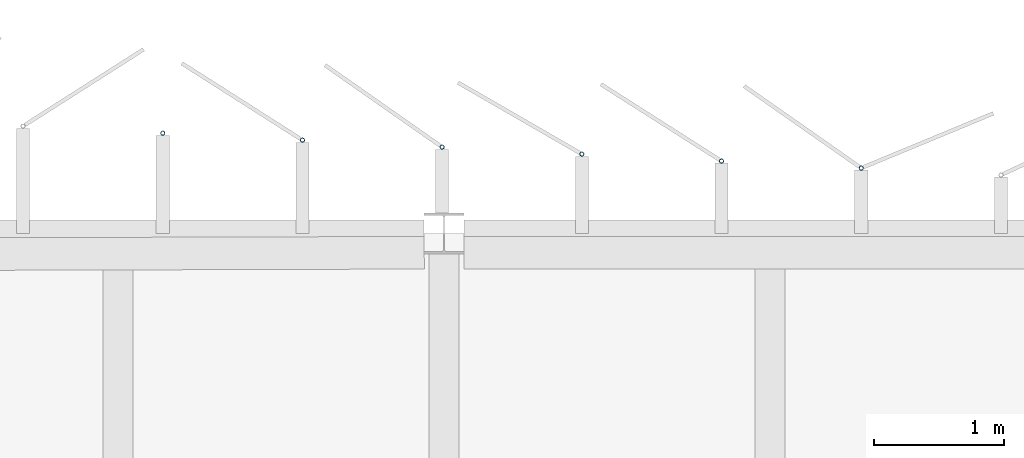
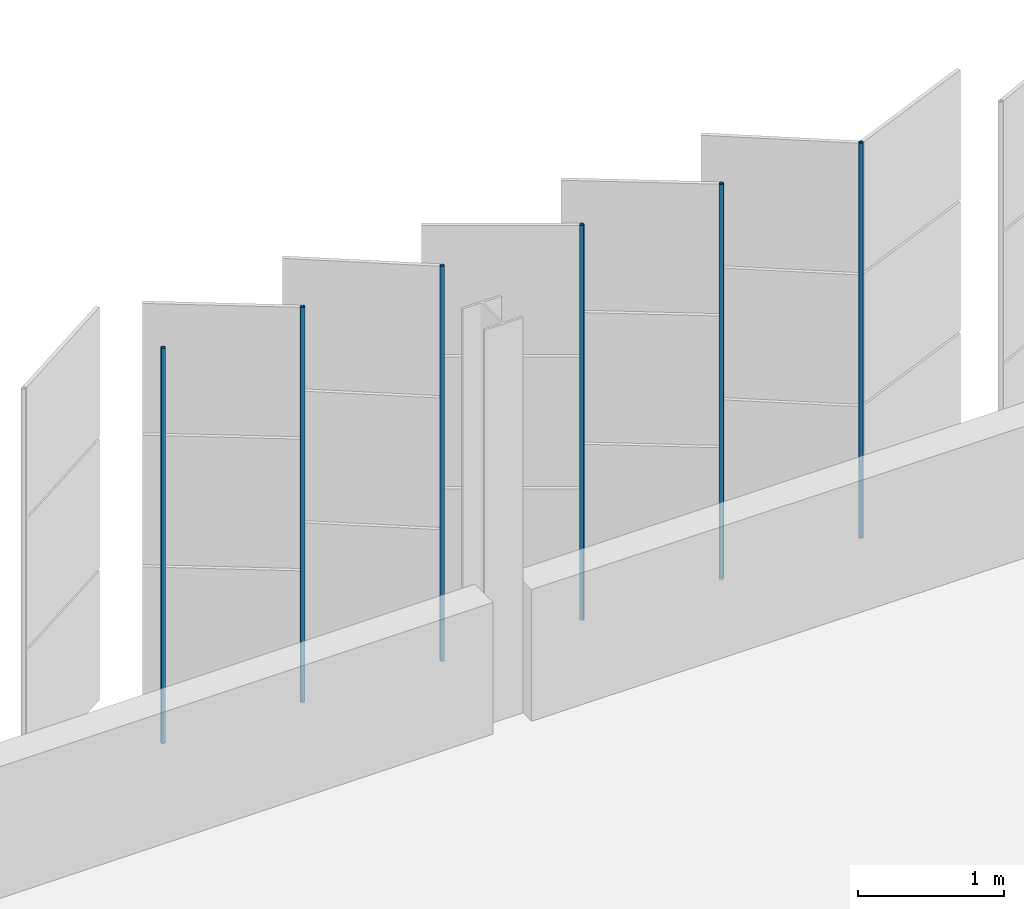
# One storey, part 148 of 214: 6 discrete accessories.
"""IFC4 building model written with IfcOpenShell, lengths in metres."""

from ifc_helpers import new_model, si_unit, direction, frame, origin, origin_2d, place, context, subcontext, project, spatial, hollow_circle, extrude, material, material_profile, profile_set, type_object, element, save


model = new_model("IFC4")

# Units and contexts
model_context = context("Model", 3, precision=1e-05, world=origin(), true_north=direction((0.0, 1.0)))
body_context = subcontext(model_context, "Body", "Model", "MODEL_VIEW")
ifc_project = project(units=[si_unit("LENGTHUNIT", "METRE"), si_unit("AREAUNIT", "SQUARE_METRE"), si_unit("VOLUMEUNIT", "CUBIC_METRE"), si_unit("PLANEANGLEUNIT", "RADIAN"), si_unit("MASSUNIT", "GRAM", prefix="KILO")], contexts=[model_context])

# Site, building, storey
site_placement = place(None, origin())
site = spatial("IfcSite", under=ifc_project, at=site_placement, CompositionType="ELEMENT")
building_placement = place(site_placement, origin())
building = spatial("IfcBuilding", under=site, at=building_placement, Name="Parallax Yard Mobility Hub", CompositionType="ELEMENT")
storey_placement = place(building_placement, frame((0.0, 0.0, 3.300048828125)))
storey = spatial("IfcBuildingStorey", under=building, at=storey_placement, Name="L01", CompositionType="ELEMENT", Elevation=3.300048828125)

# Discrete accessories
ifc_material = material(Name="Steel ASTM A500 Gr C, hot-dip galvanised", Category="steel")
ifc_material_profile = material_profile(ifc_material, hollow_circle(Radius=0.016845703125, WallThickness=0.003173828125, at=origin_2d()), Name="CHS 33.7x3.2")
ifc_profile_set = profile_set([ifc_material_profile], Name="Steel ASTM A500 Gr C, hot-dip galvanised")
discrete_accessory_type = type_object("IfcDiscreteAccessoryType", Name="Hinge post CHS 33.7x3.2", PredefinedType="BRACKET", material=ifc_profile_set)
for number, where, z_axis, x_axis, name in (
    (1, (40.700439453125, 143.001708984375, 0.0), (0.0, 0.0, 1.0), (1.0, 0.0, 0.0), "Hinge post bay 68.5 level L01"),
    (2, (39.62890625, 143.055419921875, 0.0), (0.0, 0.0, 1.0), (1.0, 0.0, 0.0), "Hinge post bay 68.6 level L01"),
    (3, (38.557373046875, 143.10888671875, 0.0), (0.0, 0.0, 1.0), (1.0, 0.0, 0.0), "Hinge post bay 68.7 level L01"),
    (4, (37.48583984375, 143.16259765625, 0.0), (0.0, 0.0, 1.0), (1.0, 0.0, 0.0), "Hinge post bay 69.1 level L01"),
    (5, (36.414306640625, 143.216064453125, 0.0), (0.0, 0.0, 1.0), (1.0, 0.0, 0.0), "Hinge post bay 69.2 level L01"),
    (6, (35.3427734375, 143.269775390625, 0.0), (0.0, 0.0, 1.0), (1.0, 0.0, 0.0), "Hinge post bay 69.3 level L01"),
):
    element("IfcDiscreteAccessory", number, at=place(storey_placement, frame(where, z_axis=z_axis, x_axis=x_axis)), inside=storey, type_object=discrete_accessory_type, Name=name, PredefinedType="BRACKET", context=body_context, shape_type="SweptSolid", body=[
        extrude(hollow_circle(Radius=0.016845703125, WallThickness=0.003173828125, at=origin_2d()), origin(), (0.0, 0.0, 1.0), 3.300048828125),
    ])

save(model, "model.ifc")
